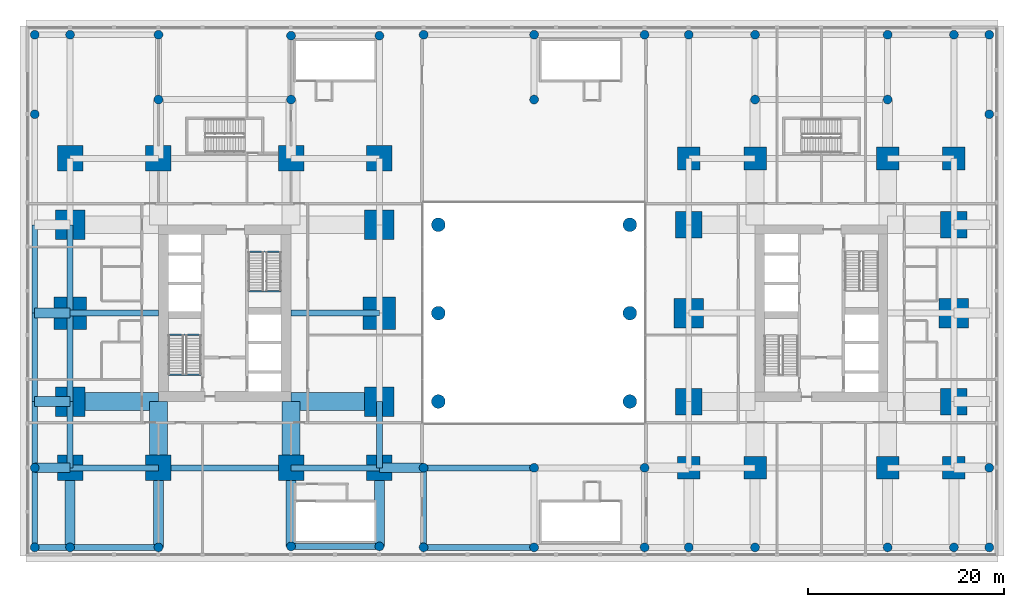
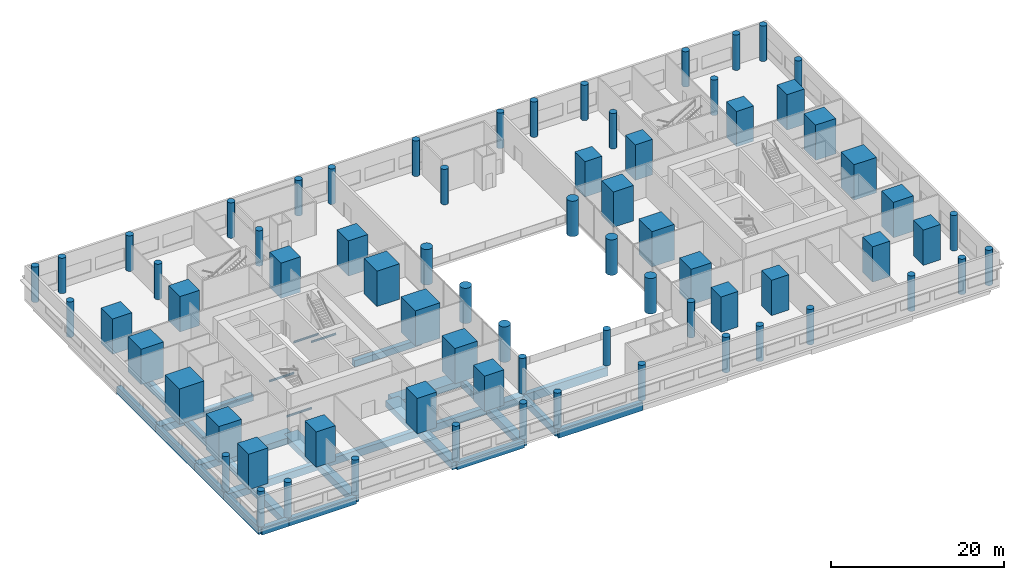
# One storey, part 1 of 20: 72 columns, 35 beams.
"""IFC4 building model written with IfcOpenShell, lengths in metres."""

from ifc_helpers import new_model, si_unit, direction, frame, origin, origin_2d, place, context, subcontext, project, spatial, rectangle, circle, i_section, extrude, material, material_profile, profile_set, type_object, element, save


model = new_model("IFC4")

# Units and contexts
model_context = context("Model", 3, precision=1e-05, world=origin(), true_north=direction((0.0, 1.0)))
body_context = subcontext(model_context, "Body", "Model", "MODEL_VIEW")
ifc_project = project(units=[si_unit("LENGTHUNIT", "METRE"), si_unit("AREAUNIT", "SQUARE_METRE"), si_unit("VOLUMEUNIT", "CUBIC_METRE"), si_unit("PLANEANGLEUNIT", "RADIAN"), si_unit("MASSUNIT", "GRAM", prefix="KILO")], contexts=[model_context])

# Site, building, storey
site_placement = place(None, origin())
site = spatial("IfcSite", under=ifc_project, at=site_placement, CompositionType="ELEMENT")
building_placement = place(site_placement, origin())
building = spatial("IfcBuilding", under=site, at=building_placement, Name="Namib Vertical Campus", CompositionType="ELEMENT")
storey_placement = place(building_placement, frame((0.0, 0.0, 16.0)))
storey = spatial("IfcBuildingStorey", under=building, at=storey_placement, Name="L03", CompositionType="ELEMENT", Elevation=16.0)

# Columns
ifc_material_1 = material(Name="Concrete C60/75", Category="concrete")
ifc_material_profile_1 = material_profile(ifc_material_1, circle(Radius=0.699951171875, at=origin_2d()))
ifc_profile_set_1 = profile_set([ifc_material_profile_1], Name="Concrete C60/75")
column_type_1 = type_object("IfcColumnType", Name="Atrium column RC D1400", PredefinedType="COLUMN", material=ifc_profile_set_1)
for number, where, z_axis, x_axis, name in (
    (1, (42.0, 11.25, 0.0), (0.0, 0.0, 1.0), (1.0, 0.0, 0.0), "Column PC14 L03"),
    (2, (61.5, 11.25, 0.0), (0.0, 0.0, 1.0), (1.0, 0.0, 0.0), "Column PC14 L03"),
    (3, (42.0, 20.25, 0.0), (0.0, 0.0, 1.0), (1.0, 0.0, 0.0), "Column PC14 L03"),
    (4, (61.5, 20.25, 0.0), (0.0, 0.0, 1.0), (1.0, 0.0, 0.0), "Column PC14 L03"),
    (5, (42.0, 29.25, 0.0), (0.0, 0.0, 1.0), (1.0, 0.0, 0.0), "Column PC14 L03"),
    (6, (61.5, 29.25, 0.0), (0.0, 0.0, 1.0), (1.0, 0.0, 0.0), "Column PC14 L03"),
):
    element("IfcColumn", number, at=place(storey_placement, frame(where, z_axis=z_axis, x_axis=x_axis)), inside=storey, type_object=column_type_1, Name=name, PredefinedType="COLUMN", context=body_context, shape_type="SweptSolid", body=[
        extrude(circle(Radius=0.699951171875, at=origin_2d()), origin(), (0.0, 0.0, 1.0), 5.0),
    ])
ifc_material_2 = material(Name="Concrete C60/75", Category="concrete")
ifc_material_profile_2 = material_profile(ifc_material_2, rectangle(XDim=2.300048828125, YDim=2.300048828125, at=origin_2d()))
ifc_profile_set_2 = profile_set([ifc_material_profile_2], Name="Concrete C60/75")
column_type_2 = type_object("IfcColumnType", Name="Column RC 2300x2300", PredefinedType="COLUMN", material=ifc_profile_set_2)
for number, where, z_axis, x_axis, name in (
    (7, (67.5, 4.5, 0.0), (0.0, 0.0, 1.0), (1.0, 0.0, 0.0), "Column C230 L03"),
    (8, (74.25, 4.5, 0.0), (0.0, 0.0, 1.0), (1.0, 0.0, 0.0), "Column C230 L03"),
    (9, (87.75, 4.5, 0.0), (0.0, 0.0, 1.0), (1.0, 0.0, 0.0), "Column C230 L03"),
    (10, (94.5, 4.5, 0.0), (0.0, 0.0, 1.0), (1.0, 0.0, 0.0), "Column C230 L03"),
    (11, (67.5, 36.0, 0.0), (0.0, 0.0, 1.0), (1.0, 0.0, 0.0), "Column C230 L03"),
    (12, (74.25, 36.0, 0.0), (0.0, 0.0, 1.0), (1.0, 0.0, 0.0), "Column C230 L03"),
    (13, (87.75, 36.0, 0.0), (0.0, 0.0, 1.0), (1.0, 0.0, 0.0), "Column C230 L03"),
    (14, (94.5, 36.0, 0.0), (0.0, 0.0, 1.0), (1.0, 0.0, 0.0), "Column C230 L03"),
):
    element("IfcColumn", number, at=place(storey_placement, frame(where, z_axis=z_axis, x_axis=x_axis)), inside=storey, type_object=column_type_2, Name=name, PredefinedType="COLUMN", context=body_context, shape_type="SweptSolid", body=[
        extrude(rectangle(XDim=2.300048828125, YDim=2.300048828125, at=origin_2d()), origin(), (0.0, 0.0, 1.0), 5.0),
    ])
ifc_material_3 = material(Name="Concrete C60/75", Category="concrete")
ifc_material_profile_3 = material_profile(ifc_material_3, rectangle(XDim=2.60009765625, YDim=2.60009765625, at=origin_2d()))
ifc_profile_set_3 = profile_set([ifc_material_profile_3], Name="Concrete C60/75")
column_type_3 = type_object("IfcColumnType", Name="Column RC 2600x2600", PredefinedType="COLUMN", material=ifc_profile_set_3)
for number, where, z_axis, x_axis, name in (
    (15, (4.5, 4.5, 0.0), (0.0, 0.0, 1.0), (1.0, 0.0, 0.0), "Column C260 L03"),
    (16, (13.5, 4.5, 0.0), (0.0, 0.0, 1.0), (1.0, 0.0, 0.0), "Column C260 L03"),
    (17, (27.0, 4.5, 0.0), (0.0, 0.0, 1.0), (1.0, 0.0, 0.0), "Column C260 L03"),
    (18, (36.0, 4.5, 0.0), (0.0, 0.0, 1.0), (1.0, 0.0, 0.0), "Column C260 L03"),
    (19, (4.5, 36.0, 0.0), (0.0, 0.0, 1.0), (1.0, 0.0, 0.0), "Column C260 L03"),
    (20, (13.5, 36.0, 0.0), (0.0, 0.0, 1.0), (1.0, 0.0, 0.0), "Column C260 L03"),
    (21, (27.0, 36.0, 0.0), (0.0, 0.0, 1.0), (1.0, 0.0, 0.0), "Column C260 L03"),
    (22, (36.0, 36.0, 0.0), (0.0, 0.0, 1.0), (1.0, 0.0, 0.0), "Column C260 L03"),
):
    element("IfcColumn", number, at=place(storey_placement, frame(where, z_axis=z_axis, x_axis=x_axis)), inside=storey, type_object=column_type_3, Name=name, PredefinedType="COLUMN", context=body_context, shape_type="SweptSolid", body=[
        extrude(rectangle(XDim=2.60009765625, YDim=2.60009765625, at=origin_2d()), origin(), (0.0, 0.0, 1.0), 5.0),
    ])
ifc_material_4 = material(Name="Concrete C60/75", Category="concrete")
ifc_material_profile_4 = material_profile(ifc_material_4, rectangle(XDim=2.699951171875, YDim=2.699951171875, at=origin_2d()))
ifc_profile_set_4 = profile_set([ifc_material_profile_4], Name="Concrete C60/75")
column_type_4 = type_object("IfcColumnType", Name="Column RC 2700x2700", PredefinedType="COLUMN", material=ifc_profile_set_4)
for number, where, z_axis, x_axis, name in (
    (23, (67.5, 11.25, 0.0), (0.0, 0.0, 1.0), (1.0, 0.0, 0.0), "Column C270 L03"),
    (24, (94.5, 11.25, 0.0), (0.0, 0.0, 1.0), (1.0, 0.0, 0.0), "Column C270 L03"),
    (25, (67.5, 29.25, 0.0), (0.0, 0.0, 1.0), (1.0, 0.0, 0.0), "Column C270 L03"),
    (26, (94.5, 29.25, 0.0), (0.0, 0.0, 1.0), (1.0, 0.0, 0.0), "Column C270 L03"),
):
    element("IfcColumn", number, at=place(storey_placement, frame(where, z_axis=z_axis, x_axis=x_axis)), inside=storey, type_object=column_type_4, Name=name, PredefinedType="COLUMN", context=body_context, shape_type="SweptSolid", body=[
        extrude(rectangle(XDim=2.699951171875, YDim=2.699951171875, at=origin_2d()), origin(), (0.0, 0.0, 1.0), 5.0),
    ])
ifc_material_5 = material(Name="Concrete C60/75", Category="concrete")
ifc_material_profile_5 = material_profile(ifc_material_5, rectangle(XDim=3.0, YDim=3.0, at=origin_2d()))
ifc_profile_set_5 = profile_set([ifc_material_profile_5], Name="Concrete C60/75")
column_type_5 = type_object("IfcColumnType", Name="Column RC 3000x3000", PredefinedType="COLUMN", material=ifc_profile_set_5)
for number, where, z_axis, x_axis, name in (
    (27, (4.5, 11.25, 0.0), (0.0, 0.0, 1.0), (1.0, 0.0, 0.0), "Column C300 L03"),
    (28, (36.0, 11.25, 0.0), (0.0, 0.0, 1.0), (1.0, 0.0, 0.0), "Column C300 L03"),
    (29, (4.5, 29.25, 0.0), (0.0, 0.0, 1.0), (1.0, 0.0, 0.0), "Column C300 L03"),
    (30, (36.0, 29.25, 0.0), (0.0, 0.0, 1.0), (1.0, 0.0, 0.0), "Column C300 L03"),
    (31, (67.5, 20.25, 0.0), (0.0, 0.0, 1.0), (1.0, 0.0, 0.0), "Column C300 L03"),
    (32, (94.5, 20.25, 0.0), (0.0, 0.0, 1.0), (1.0, 0.0, 0.0), "Column C300 L03"),
):
    element("IfcColumn", number, at=place(storey_placement, frame(where, z_axis=z_axis, x_axis=x_axis)), inside=storey, type_object=column_type_5, Name=name, PredefinedType="COLUMN", context=body_context, shape_type="SweptSolid", body=[
        extrude(rectangle(XDim=3.0, YDim=3.0, at=origin_2d()), origin(), (0.0, 0.0, 1.0), 5.0),
    ])
ifc_material_6 = material(Name="Concrete C60/75", Category="concrete")
ifc_material_profile_6 = material_profile(ifc_material_6, rectangle(XDim=3.300048828125, YDim=3.300048828125, at=origin_2d()))
ifc_profile_set_6 = profile_set([ifc_material_profile_6], Name="Concrete C60/75")
column_type_6 = type_object("IfcColumnType", Name="Column RC 3300x3300", PredefinedType="COLUMN", material=ifc_profile_set_6)
for number, where, z_axis, x_axis, name in (
    (33, (4.5, 20.25, 0.0), (0.0, 0.0, 1.0), (1.0, 0.0, 0.0), "Column C330 L03"),
    (34, (36.0, 20.25, 0.0), (0.0, 0.0, 1.0), (1.0, 0.0, 0.0), "Column C330 L03"),
):
    element("IfcColumn", number, at=place(storey_placement, frame(where, z_axis=z_axis, x_axis=x_axis)), inside=storey, type_object=column_type_6, Name=name, PredefinedType="COLUMN", context=body_context, shape_type="SweptSolid", body=[
        extrude(rectangle(XDim=3.300048828125, YDim=3.300048828125, at=origin_2d()), origin(), (0.0, 0.0, 1.0), 5.0),
    ])
ifc_material_7 = material(Name="Concrete C60/75", Category="concrete")
ifc_material_profile_7 = material_profile(ifc_material_7, circle(Radius=0.449951171875, at=origin_2d()))
ifc_profile_set_7 = profile_set([ifc_material_profile_7], Name="Concrete C60/75")
column_type_7 = type_object("IfcColumnType", Name="Podium column RC D900", PredefinedType="COLUMN", material=ifc_profile_set_7)
for number, where, z_axis, x_axis, name in (
    (35, (0.89990234375, -3.60009765625, 0.0), (0.0, 0.0, 1.0), (1.0, 0.0, 0.0), "Column PC9 L03"),
    (36, (4.5, -3.60009765625, 0.0), (0.0, 0.0, 1.0), (1.0, 0.0, 0.0), "Column PC9 L03"),
    (37, (13.5, -3.60009765625, 0.0), (0.0, 0.0, 1.0), (1.0, 0.0, 0.0), "Column PC9 L03"),
    (38, (27.0, -3.5, 0.0), (0.0, 0.0, 1.0), (1.0, 0.0, 0.0), "Column PC9 L03"),
    (39, (36.0, -3.5, 0.0), (0.0, 0.0, 1.0), (1.0, 0.0, 0.0), "Column PC9 L03"),
    (40, (40.5, -3.60009765625, 0.0), (0.0, 0.0, 1.0), (1.0, 0.0, 0.0), "Column PC9 L03"),
    (41, (51.75, -3.60009765625, 0.0), (0.0, 0.0, 1.0), (1.0, 0.0, 0.0), "Column PC9 L03"),
    (42, (63.0, -3.60009765625, 0.0), (0.0, 0.0, 1.0), (1.0, 0.0, 0.0), "Column PC9 L03"),
    (43, (67.5, -3.60009765625, 0.0), (0.0, 0.0, 1.0), (1.0, 0.0, 0.0), "Column PC9 L03"),
    (44, (74.25, -3.60009765625, 0.0), (0.0, 0.0, 1.0), (1.0, 0.0, 0.0), "Column PC9 L03"),
    (45, (87.75, -3.60009765625, 0.0), (0.0, 0.0, 1.0), (1.0, 0.0, 0.0), "Column PC9 L03"),
    (46, (94.5, -3.60009765625, 0.0), (0.0, 0.0, 1.0), (1.0, 0.0, 0.0), "Column PC9 L03"),
    (47, (98.10009765625, -3.60009765625, 0.0), (0.0, 0.0, 1.0), (1.0, 0.0, 0.0), "Column PC9 L03"),
    (48, (0.89990234375, 4.5, 0.0), (0.0, 0.0, 1.0), (1.0, 0.0, 0.0), "Column PC9 L03"),
    (49, (40.5, 4.5, 0.0), (0.0, 0.0, 1.0), (1.0, 0.0, 0.0), "Column PC9 L03"),
    (50, (51.75, 4.5, 0.0), (0.0, 0.0, 1.0), (1.0, 0.0, 0.0), "Column PC9 L03"),
    (51, (63.0, 4.5, 0.0), (0.0, 0.0, 1.0), (1.0, 0.0, 0.0), "Column PC9 L03"),
    (52, (98.10009765625, 4.5, 0.0), (0.0, 0.0, 1.0), (1.0, 0.0, 0.0), "Column PC9 L03"),
    (53, (0.89990234375, 40.5, 0.0), (0.0, 0.0, 1.0), (1.0, 0.0, 0.0), "Column PC9 L03"),
    (54, (13.5, 42.0, 0.0), (0.0, 0.0, 1.0), (1.0, 0.0, 0.0), "Column PC9 L03"),
    (55, (27.0, 42.0, 0.0), (0.0, 0.0, 1.0), (1.0, 0.0, 0.0), "Column PC9 L03"),
    (56, (51.75, 42.0, 0.0), (0.0, 0.0, 1.0), (1.0, 0.0, 0.0), "Column PC9 L03"),
    (57, (74.25, 42.0, 0.0), (0.0, 0.0, 1.0), (1.0, 0.0, 0.0), "Column PC9 L03"),
    (58, (87.75, 42.0, 0.0), (0.0, 0.0, 1.0), (1.0, 0.0, 0.0), "Column PC9 L03"),
    (59, (98.10009765625, 40.5, 0.0), (0.0, 0.0, 1.0), (1.0, 0.0, 0.0), "Column PC9 L03"),
    (60, (0.89990234375, 48.60009765625, 0.0), (0.0, 0.0, 1.0), (1.0, 0.0, 0.0), "Column PC9 L03"),
    (61, (4.5, 48.60009765625, 0.0), (0.0, 0.0, 1.0), (1.0, 0.0, 0.0), "Column PC9 L03"),
    (62, (13.5, 48.60009765625, 0.0), (0.0, 0.0, 1.0), (1.0, 0.0, 0.0), "Column PC9 L03"),
    (63, (27.0, 48.5, 0.0), (0.0, 0.0, 1.0), (1.0, 0.0, 0.0), "Column PC9 L03"),
    (64, (36.0, 48.5, 0.0), (0.0, 0.0, 1.0), (1.0, 0.0, 0.0), "Column PC9 L03"),
    (65, (40.5, 48.60009765625, 0.0), (0.0, 0.0, 1.0), (1.0, 0.0, 0.0), "Column PC9 L03"),
    (66, (51.75, 48.60009765625, 0.0), (0.0, 0.0, 1.0), (1.0, 0.0, 0.0), "Column PC9 L03"),
    (67, (63.0, 48.60009765625, 0.0), (0.0, 0.0, 1.0), (1.0, 0.0, 0.0), "Column PC9 L03"),
    (68, (67.5, 48.60009765625, 0.0), (0.0, 0.0, 1.0), (1.0, 0.0, 0.0), "Column PC9 L03"),
    (69, (74.25, 48.60009765625, 0.0), (0.0, 0.0, 1.0), (1.0, 0.0, 0.0), "Column PC9 L03"),
    (70, (87.75, 48.60009765625, 0.0), (0.0, 0.0, 1.0), (1.0, 0.0, 0.0), "Column PC9 L03"),
    (71, (94.5, 48.60009765625, 0.0), (0.0, 0.0, 1.0), (1.0, 0.0, 0.0), "Column PC9 L03"),
    (72, (98.10009765625, 48.60009765625, 0.0), (0.0, 0.0, 1.0), (1.0, 0.0, 0.0), "Column PC9 L03"),
):
    element("IfcColumn", number, at=place(storey_placement, frame(where, z_axis=z_axis, x_axis=x_axis)), inside=storey, type_object=column_type_7, Name=name, PredefinedType="COLUMN", context=body_context, shape_type="SweptSolid", body=[
        extrude(circle(Radius=0.449951171875, at=origin_2d()), origin(), (0.0, 0.0, 1.0), 5.0),
    ])

# Beams
ifc_material_8 = material(Name="Concrete C40/50", Category="concrete")
ifc_material_profile_8 = material_profile(ifc_material_8, rectangle(XDim=0.60009765625, YDim=0.89990234375, at=origin_2d()))
ifc_profile_set_8 = profile_set([ifc_material_profile_8], Name="Concrete C40/50")
beam_type_1 = type_object("IfcBeamType", Name="Floor girder RC 600x900", PredefinedType="BEAM", material=ifc_profile_set_8)
for number, where, z_axis, x_axis, name in (
    (73, (4.5, 20.25, -0.75), (1.0, 0.0, 0.0), (0.0, 1.0, 0.0), "Beam B2 L03"),
    (74, (36.0, 20.25, -0.75), (-1.0, 0.0, 0.0), (0.0, -1.0, 0.0), "Beam B2 L03"),
):
    element("IfcBeam", number, at=place(storey_placement, frame(where, z_axis=z_axis, x_axis=x_axis)), inside=storey, type_object=beam_type_1, Name=name, PredefinedType="BEAM", context=body_context, shape_type="SweptSolid", body=[
        extrude(rectangle(XDim=0.60009765625, YDim=0.89990234375, at=origin_2d()), origin(), (0.0, 0.0, 1.0), 9.0),
    ])
ifc_material_9 = material(Name="Steel S355JR", Category="steel")
ifc_material_profile_9 = material_profile(ifc_material_9, i_section(OverallWidth=0.14599609375, OverallDepth=0.25146484375, WebThickness=0.006103515625, FlangeThickness=0.008544921875, FilletRadius=0.007568359375, at=origin_2d()))
ifc_profile_set_9 = profile_set([ifc_material_profile_9], Name="Steel S355JR")
beam_type_2 = type_object("IfcBeamType", Name="Landing trimmer UB 254x146x31", PredefinedType="BEAM", material=ifc_profile_set_9)
for number, where, z_axis, x_axis, name in (
    (75, (14.5, 13.97705078125, -0.125732421875), (1.0, 0.0, 0.0), (0.0, 1.0, 0.0), "Landing trimmer LT1 A-S1 L03 1"),
    (76, (14.5, 18.04296875, 2.374267578125), (1.0, 0.0, 0.0), (0.0, 1.0, 0.0), "Landing trimmer LT1 A-S1 L03 2"),
    (77, (22.64990234375, 26.52294921875, -0.125732421875), (1.0, 0.0, 0.0), (0.0, 1.0, 0.0), "Landing trimmer LT1 A-S2 L03 1"),
    (78, (22.64990234375, 22.45703125, 2.374267578125), (1.0, 0.0, 0.0), (0.0, 1.0, 0.0), "Landing trimmer LT1 A-S2 L03 2"),
):
    element("IfcBeam", number, at=place(storey_placement, frame(where, z_axis=z_axis, x_axis=x_axis)), inside=storey, type_object=beam_type_2, Name=name, PredefinedType="BEAM", context=body_context, shape_type="SweptSolid", body=[
        extrude(i_section(OverallWidth=0.14599609375, OverallDepth=0.25146484375, WebThickness=0.006103515625, FlangeThickness=0.008544921875, FilletRadius=0.007568359375, at=origin_2d()), origin(), (0.0, 0.0, 1.0), 3.35009765625),
    ])
ifc_material_10 = material(Name="Concrete C40/50", Category="concrete")
ifc_material_profile_10 = material_profile(ifc_material_10, rectangle(XDim=0.60009765625, YDim=1.199951171875, at=origin_2d()))
ifc_profile_set_10 = profile_set([ifc_material_profile_10], Name="Concrete C40/50")
beam_type_3 = type_object("IfcBeamType", Name="Long-span podium beam RC 600x1200", PredefinedType="BEAM", material=ifc_profile_set_10)
for number, where, z_axis, x_axis, name in (
    (79, (40.5, -3.60009765625, -0.89990234375), (1.0, 0.0, 0.0), (0.0, 1.0, 0.0), "Beam PB4 L03"),
    (80, (40.5, 4.5, -0.89990234375), (1.0, 0.0, 0.0), (0.0, 1.0, 0.0), "Beam PB4 L03"),
):
    element("IfcBeam", number, at=place(storey_placement, frame(where, z_axis=z_axis, x_axis=x_axis)), inside=storey, type_object=beam_type_3, Name=name, PredefinedType="BEAM", context=body_context, shape_type="SweptSolid", body=[
        extrude(rectangle(XDim=0.60009765625, YDim=1.199951171875, at=origin_2d()), origin(), (0.0, 0.0, 1.0), 11.25),
    ])
ifc_material_11 = material(Name="Concrete C40/50", Category="concrete")
ifc_material_profile_11 = material_profile(ifc_material_11, rectangle(XDim=1.800048828125, YDim=0.89990234375, at=origin_2d()))
ifc_profile_set_11 = profile_set([ifc_material_profile_11], Name="Concrete C40/50")
beam_type_4 = type_object("IfcBeamType", Name="Outrigger line girder RC 1800x900", PredefinedType="BEAM", material=ifc_profile_set_11)
for number, where, z_axis, x_axis, name in (
    (81, (13.5, 4.5, -0.75), (0.0, 1.0, 0.0), (-1.0, 0.0, 0.0), "Beam B12 L03"),
    (82, (27.0, 4.5, -0.75), (0.0, 1.0, 0.0), (-1.0, 0.0, 0.0), "Beam B12 L03"),
):
    element("IfcBeam", number, at=place(storey_placement, frame(where, z_axis=z_axis, x_axis=x_axis)), inside=storey, type_object=beam_type_4, Name=name, PredefinedType="BEAM", context=body_context, shape_type="SweptSolid", body=[
        extrude(rectangle(XDim=1.800048828125, YDim=0.89990234375, at=origin_2d()), origin(), (0.0, 0.0, 1.0), 6.75),
    ])
for number, where, z_axis, x_axis, name in (
    (83, (4.5, 11.25, -0.75), (1.0, 0.0, 0.0), (0.0, 1.0, 0.0), "Beam B12 L03"),
    (84, (36.0, 11.25, -0.75), (-1.0, 0.0, 0.0), (0.0, -1.0, 0.0), "Beam B12 L03"),
):
    element("IfcBeam", number, at=place(storey_placement, frame(where, z_axis=z_axis, x_axis=x_axis)), inside=storey, type_object=beam_type_4, Name=name, PredefinedType="BEAM", context=body_context, shape_type="SweptSolid", body=[
        extrude(rectangle(XDim=1.800048828125, YDim=0.89990234375, at=origin_2d()), origin(), (0.0, 0.0, 1.0), 9.0),
    ])
ifc_material_12 = material(Name="Concrete C40/50", Category="concrete")
ifc_material_profile_12 = material_profile(ifc_material_12, rectangle(XDim=0.60009765625, YDim=1.0, at=origin_2d()))
ifc_profile_set_12 = profile_set([ifc_material_profile_12], Name="Concrete C40/50")
beam_type_5 = type_object("IfcBeamType", Name="Podium beam RC 600x1000", PredefinedType="BEAM", material=ifc_profile_set_12)
beam_1_placement = place(storey_placement, frame((0.89990234375, -3.60009765625, -0.800048828125), z_axis=(0.0, 1.0, 0.0), x_axis=(-1.0, 0.0, 0.0)))
element("IfcBeam", 85, at=beam_1_placement, inside=storey, type_object=beam_type_5, Name="Beam PB1 L03", PredefinedType="BEAM", context=body_context, shape_type="SweptSolid", body=[
    extrude(rectangle(XDim=0.60009765625, YDim=1.0, at=origin_2d()), origin(), (0.0, 0.0, 1.0), 8.10009765625),
])
beam_2_placement = place(storey_placement, frame((0.89990234375, 4.5, -0.800048828125), z_axis=(0.0, 1.0, 0.0), x_axis=(-1.0, 0.0, 0.0)))
element("IfcBeam", 86, at=beam_2_placement, inside=storey, type_object=beam_type_5, Name="Beam PB1 L03", PredefinedType="BEAM", context=body_context, shape_type="SweptSolid", body=[
    extrude(rectangle(XDim=0.60009765625, YDim=1.0, at=origin_2d()), origin(), (0.0, 0.0, 1.0), 6.75),
])
for number, where, z_axis, x_axis, name in (
    (87, (0.89990234375, 11.25, -0.800048828125), (0.0, 1.0, 0.0), (-1.0, 0.0, 0.0), "Beam PB1 L03"),
    (88, (0.89990234375, 20.25, -0.800048828125), (0.0, 1.0, 0.0), (-1.0, 0.0, 0.0), "Beam PB1 L03"),
):
    element("IfcBeam", number, at=place(storey_placement, frame(where, z_axis=z_axis, x_axis=x_axis)), inside=storey, type_object=beam_type_5, Name=name, PredefinedType="BEAM", context=body_context, shape_type="SweptSolid", body=[
        extrude(rectangle(XDim=0.60009765625, YDim=1.0, at=origin_2d()), origin(), (0.0, 0.0, 1.0), 9.0),
    ])
beam_3_placement = place(storey_placement, frame((40.5, -3.60009765625, -0.800048828125), z_axis=(0.0, 1.0, 0.0), x_axis=(-1.0, 0.0, 0.0)))
element("IfcBeam", 89, at=beam_3_placement, inside=storey, type_object=beam_type_5, Name="Beam PB1 L03", PredefinedType="BEAM", context=body_context, shape_type="SweptSolid", body=[
    extrude(rectangle(XDim=0.60009765625, YDim=1.0, at=origin_2d()), origin(), (0.0, 0.0, 1.0), 8.10009765625),
])
beam_4_placement = place(storey_placement, frame((0.89990234375, -3.60009765625, -0.800048828125), z_axis=(1.0, 0.0, 0.0), x_axis=(0.0, 1.0, 0.0)))
element("IfcBeam", 90, at=beam_4_placement, inside=storey, type_object=beam_type_5, Name="Beam PB1 L03", PredefinedType="BEAM", context=body_context, shape_type="SweptSolid", body=[
    extrude(rectangle(XDim=0.60009765625, YDim=1.0, at=origin_2d()), origin(), (0.0, 0.0, 1.0), 3.60009765625),
])
for number, where, z_axis, x_axis, name in (
    (91, (4.5, -3.60009765625, -0.800048828125), (1.0, 0.0, 0.0), (0.0, 1.0, 0.0), "Beam PB1 L03"),
    (92, (27.0, -3.5, -0.800048828125), (1.0, 0.0, 0.0), (0.0, 1.0, 0.0), "Beam PB1 L03"),
):
    element("IfcBeam", number, at=place(storey_placement, frame(where, z_axis=z_axis, x_axis=x_axis)), inside=storey, type_object=beam_type_5, Name=name, PredefinedType="BEAM", context=body_context, shape_type="SweptSolid", body=[
        extrude(rectangle(XDim=0.60009765625, YDim=1.0, at=origin_2d()), origin(), (0.0, 0.0, 1.0), 9.0),
    ])
ifc_material_13 = material(Name="Concrete C40/50", Category="concrete")
ifc_material_profile_13 = material_profile(ifc_material_13, rectangle(XDim=0.60009765625, YDim=1.0, at=origin_2d()))
ifc_profile_set_13 = profile_set([ifc_material_profile_13], Name="Concrete C40/50")
beam_type_6 = type_object("IfcBeamType", Name="Podium ring beam RC 600x1000", PredefinedType="BEAM", material=ifc_profile_set_13)
beam_5_placement = place(storey_placement, frame((4.5, 4.5, -0.800048828125), z_axis=(1.0, 0.0, 0.0), x_axis=(0.0, 1.0, 0.0)))
element("IfcBeam", 93, at=beam_5_placement, inside=storey, type_object=beam_type_6, Name="Beam B6 L03", PredefinedType="BEAM", context=body_context, shape_type="SweptSolid", body=[
    extrude(rectangle(XDim=0.60009765625, YDim=1.0, at=origin_2d()), origin(), (0.0, 0.0, 1.0), 9.0),
])
beam_6_placement = place(storey_placement, frame((13.5, 4.5, -0.800048828125), z_axis=(1.0, 0.0, 0.0), x_axis=(0.0, 1.0, 0.0)))
element("IfcBeam", 94, at=beam_6_placement, inside=storey, type_object=beam_type_6, Name="Beam B6 L03", PredefinedType="BEAM", context=body_context, shape_type="SweptSolid", body=[
    extrude(rectangle(XDim=0.60009765625, YDim=1.0, at=origin_2d()), origin(), (0.0, 0.0, 1.0), 13.5),
])
beam_7_placement = place(storey_placement, frame((27.0, 4.5, -0.800048828125), z_axis=(1.0, 0.0, 0.0), x_axis=(0.0, 1.0, 0.0)))
element("IfcBeam", 95, at=beam_7_placement, inside=storey, type_object=beam_type_6, Name="Beam B6 L03", PredefinedType="BEAM", context=body_context, shape_type="SweptSolid", body=[
    extrude(rectangle(XDim=0.60009765625, YDim=1.0, at=origin_2d()), origin(), (0.0, 0.0, 1.0), 9.0),
])
beam_8_placement = place(storey_placement, frame((4.5, 4.5, -0.800048828125), z_axis=(0.0, 1.0, 0.0), x_axis=(-1.0, 0.0, 0.0)))
element("IfcBeam", 96, at=beam_8_placement, inside=storey, type_object=beam_type_6, Name="Beam B6 L03", PredefinedType="BEAM", context=body_context, shape_type="SweptSolid", body=[
    extrude(rectangle(XDim=0.60009765625, YDim=1.0, at=origin_2d()), origin(), (0.0, 0.0, 1.0), 6.75),
])
for number, where, z_axis, x_axis, name in (
    (97, (4.5, 11.25, -0.800048828125), (0.0, 1.0, 0.0), (-1.0, 0.0, 0.0), "Beam B6 L03"),
    (98, (4.5, 20.25, -0.800048828125), (0.0, 1.0, 0.0), (-1.0, 0.0, 0.0), "Beam B6 L03"),
):
    element("IfcBeam", number, at=place(storey_placement, frame(where, z_axis=z_axis, x_axis=x_axis)), inside=storey, type_object=beam_type_6, Name=name, PredefinedType="BEAM", context=body_context, shape_type="SweptSolid", body=[
        extrude(rectangle(XDim=0.60009765625, YDim=1.0, at=origin_2d()), origin(), (0.0, 0.0, 1.0), 9.0),
    ])
beam_9_placement = place(storey_placement, frame((36.0, 4.5, -0.800048828125), z_axis=(0.0, 1.0, 0.0), x_axis=(-1.0, 0.0, 0.0)))
element("IfcBeam", 99, at=beam_9_placement, inside=storey, type_object=beam_type_6, Name="Beam B6 L03", PredefinedType="BEAM", context=body_context, shape_type="SweptSolid", body=[
    extrude(rectangle(XDim=0.60009765625, YDim=1.0, at=origin_2d()), origin(), (0.0, 0.0, 1.0), 6.75),
])
ifc_material_14 = material(Name="Concrete C40/50", Category="concrete")
ifc_material_profile_14 = material_profile(ifc_material_14, rectangle(XDim=1.0, YDim=1.0, at=origin_2d()))
ifc_profile_set_14 = profile_set([ifc_material_profile_14], Name="Concrete C40/50")
beam_type_7 = type_object("IfcBeamType", Name="Podium tie beam RC 1000x1000", PredefinedType="BEAM", material=ifc_profile_set_14)
for number, where, z_axis, x_axis, name in (
    (100, (4.5, -3.60009765625, -0.800048828125), (0.0, 1.0, 0.0), (-1.0, 0.0, 0.0), "Beam PB3 L03"),
    (101, (13.5, -3.60009765625, -0.800048828125), (0.0, 1.0, 0.0), (-1.0, 0.0, 0.0), "Beam PB3 L03"),
):
    element("IfcBeam", number, at=place(storey_placement, frame(where, z_axis=z_axis, x_axis=x_axis)), inside=storey, type_object=beam_type_7, Name=name, PredefinedType="BEAM", context=body_context, shape_type="SweptSolid", body=[
        extrude(rectangle(XDim=1.0, YDim=1.0, at=origin_2d()), origin(), (0.0, 0.0, 1.0), 8.10009765625),
    ])
for number, where, z_axis, x_axis, name in (
    (102, (27.0, -3.5, -0.800048828125), (0.0, 1.0, 0.0), (-1.0, 0.0, 0.0), "Beam PB3 L03"),
    (103, (36.0, -3.5, -0.800048828125), (0.0, 1.0, 0.0), (-1.0, 0.0, 0.0), "Beam PB3 L03"),
):
    element("IfcBeam", number, at=place(storey_placement, frame(where, z_axis=z_axis, x_axis=x_axis)), inside=storey, type_object=beam_type_7, Name=name, PredefinedType="BEAM", context=body_context, shape_type="SweptSolid", body=[
        extrude(rectangle(XDim=1.0, YDim=1.0, at=origin_2d()), origin(), (0.0, 0.0, 1.0), 8.0),
    ])
beam_10_placement = place(storey_placement, frame((0.89990234375, 4.5, -0.800048828125), z_axis=(1.0, 0.0, 0.0), x_axis=(0.0, 1.0, 0.0)))
element("IfcBeam", 104, at=beam_10_placement, inside=storey, type_object=beam_type_7, Name="Beam PB3 L03", PredefinedType="BEAM", context=body_context, shape_type="SweptSolid", body=[
    extrude(rectangle(XDim=1.0, YDim=1.0, at=origin_2d()), origin(), (0.0, 0.0, 1.0), 3.60009765625),
])
beam_11_placement = place(storey_placement, frame((36.0, 4.5, -0.800048828125), z_axis=(1.0, 0.0, 0.0), x_axis=(0.0, 1.0, 0.0)))
element("IfcBeam", 105, at=beam_11_placement, inside=storey, type_object=beam_type_7, Name="Beam PB3 L03", PredefinedType="BEAM", context=body_context, shape_type="SweptSolid", body=[
    extrude(rectangle(XDim=1.0, YDim=1.0, at=origin_2d()), origin(), (0.0, 0.0, 1.0), 4.5),
])
for number, where, z_axis, x_axis, name in (
    (106, (0.89990234375, 11.25, -0.800048828125), (1.0, 0.0, 0.0), (0.0, 1.0, 0.0), "Beam PB3 L03"),
    (107, (0.89990234375, 20.25, -0.800048828125), (1.0, 0.0, 0.0), (0.0, 1.0, 0.0), "Beam PB3 L03"),
):
    element("IfcBeam", number, at=place(storey_placement, frame(where, z_axis=z_axis, x_axis=x_axis)), inside=storey, type_object=beam_type_7, Name=name, PredefinedType="BEAM", context=body_context, shape_type="SweptSolid", body=[
        extrude(rectangle(XDim=1.0, YDim=1.0, at=origin_2d()), origin(), (0.0, 0.0, 1.0), 3.60009765625),
    ])

save(model, "model.ifc")
